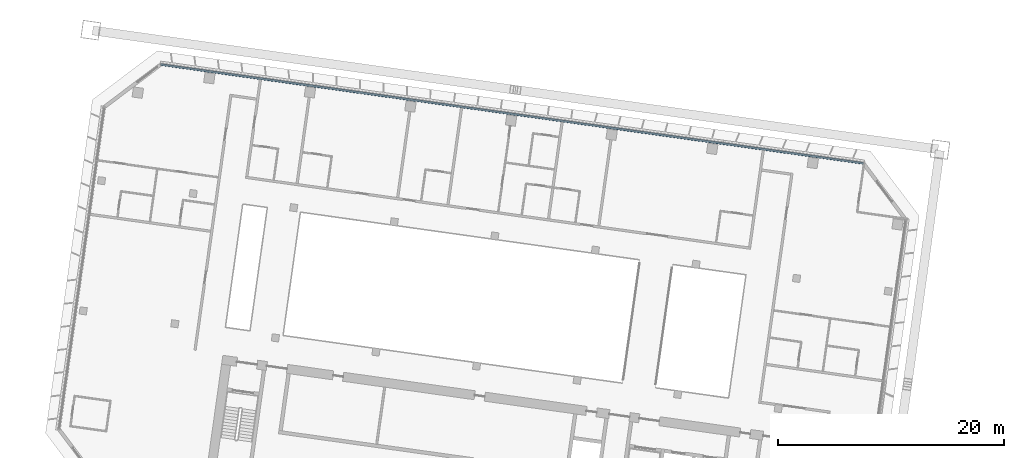
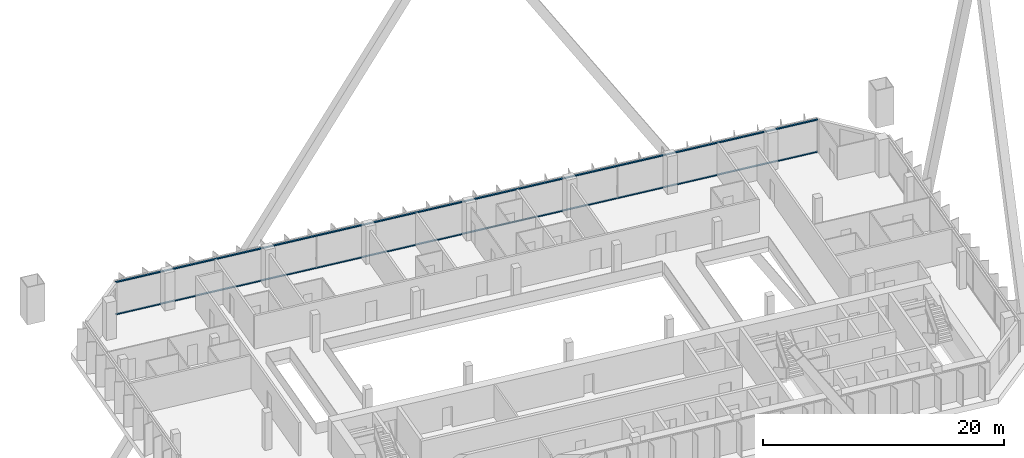
# One storey, part 7 of 41: 2 members, 1 element without a shape of its own.
"""IFC4 building model written with IfcOpenShell, lengths in metres."""

from ifc_helpers import new_model, si_unit, direction, frame, origin, origin_2d, place, context, subcontext, project, spatial, rectangle, extrude, material, material_profile, profile_set, type_object, element, aggregate, save


model = new_model("IFC4")

# Units and contexts
model_context = context("Model", 3, precision=1e-05, world=origin(), true_north=direction((0.0, 1.0)))
body_context = subcontext(model_context, "Body", "Model", "MODEL_VIEW")
ifc_project = project(units=[si_unit("LENGTHUNIT", "METRE"), si_unit("AREAUNIT", "SQUARE_METRE"), si_unit("VOLUMEUNIT", "CUBIC_METRE"), si_unit("PLANEANGLEUNIT", "RADIAN"), si_unit("MASSUNIT", "GRAM", prefix="KILO")], contexts=[model_context])

# Site, building, storey
site_placement = place(None, origin())
site = spatial("IfcSite", under=ifc_project, at=site_placement, CompositionType="ELEMENT")
building_placement = place(site_placement, origin())
building = spatial("IfcBuilding", under=site, at=building_placement, Name="Mirante Cascada Hotel Towers", CompositionType="ELEMENT")
storey_placement = place(building_placement, frame((0.0, 0.0, 125.3)))
storey = spatial("IfcBuildingStorey", under=building, at=storey_placement, Name="L28", CompositionType="ELEMENT", Elevation=125.3)

# Curtain wall, members
ifc_material_1 = material(Name="Aluminium mullion and transom frame with clear laminated glass", Category="aluminium")
curtain_wall_type = type_object("IfcCurtainWallType", Name="Ribbon curtain wall ECW1", PredefinedType="NOTDEFINED", material=ifc_material_1)
curtain_wall_placement = place(storey_placement, origin())
curtain_wall = element("IfcCurtainWall", 1, at=curtain_wall_placement, inside=storey, type_object=curtain_wall_type, Name="Front ribbon wall T1 L28", PredefinedType="NOTDEFINED")
ifc_material_2 = material(Name="Anodised aluminium extrusion", Category="aluminium")
ifc_material_profile = material_profile(ifc_material_2, rectangle(XDim=0.16, YDim=0.1, at=origin_2d()), Name="ECW1 TRANSOM 100x160")
ifc_profile_set = profile_set([ifc_material_profile], Name="Anodised aluminium extrusion")
member_type = type_object("IfcMemberType", Name="ECW1 transom 100x160", PredefinedType="USERDEFINED", material=ifc_profile_set)
member_1_placement = place(storey_placement, frame((-94.1582, 26.0521, 0.05), z_axis=(0.9902681, -0.1391728, 0.0), x_axis=(0.1391728, 0.9902681, 0.0)))
member_1 = element("IfcMember", 2, at=member_1_placement, type_object=member_type, Name="ECW1 sill transom", ObjectType="TRANSOM", PredefinedType="USERDEFINED", context=body_context, shape_type="SweptSolid", body=[
    extrude(rectangle(XDim=0.16, YDim=0.1, at=origin_2d()), origin(), (0.0, 0.0, 1.0), 62.8758),
])
member_2_placement = place(storey_placement, frame((-94.1582, 26.0521, 3.3), z_axis=(0.9902681, -0.1391728, 0.0), x_axis=(0.1391728, 0.9902681, 0.0)))
member_2 = element("IfcMember", 3, at=member_2_placement, type_object=member_type, Name="ECW1 head transom", ObjectType="TRANSOM", PredefinedType="USERDEFINED", context=body_context, shape_type="SweptSolid", body=[
    extrude(rectangle(XDim=0.16, YDim=0.1, at=origin_2d()), origin(), (0.0, 0.0, 1.0), 62.8758),
])
aggregate(curtain_wall, [member_1, member_2])

save(model, "model.ifc")
